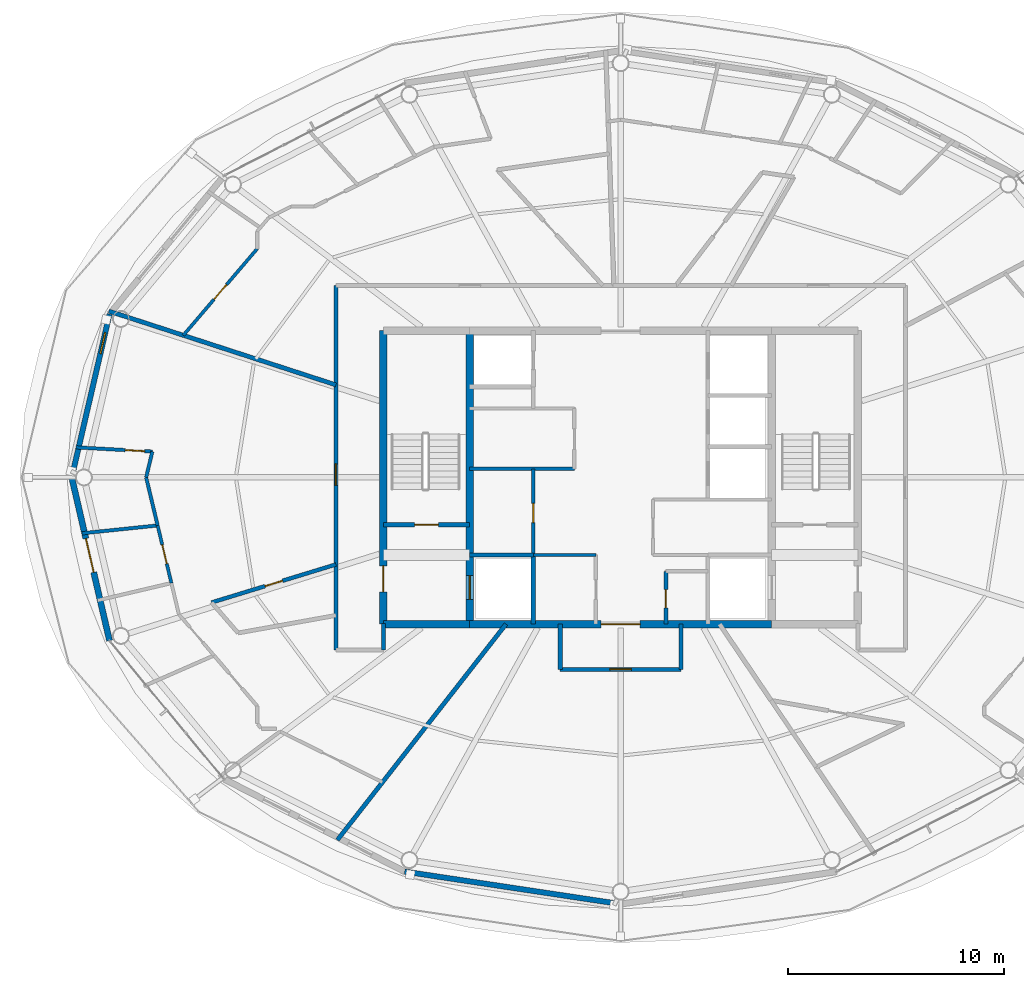
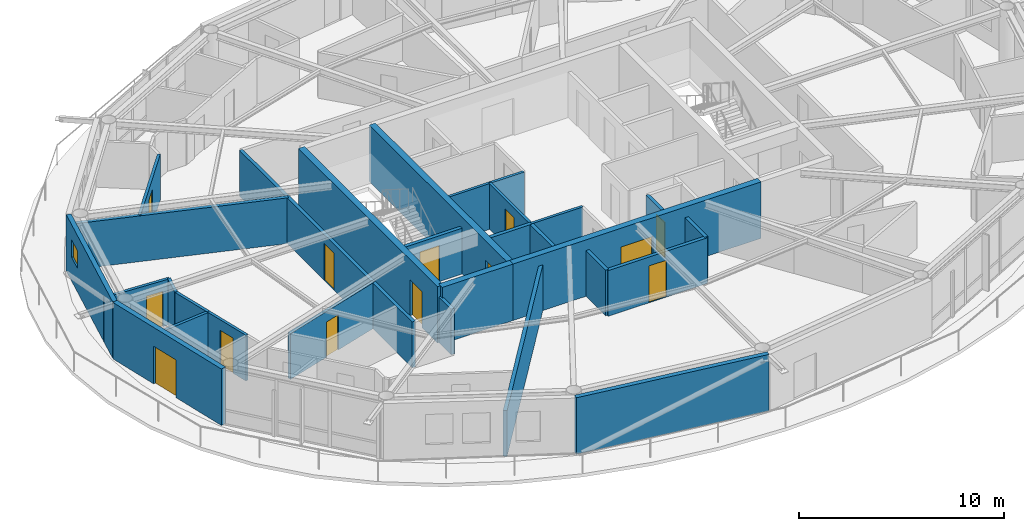
# One storey, part 16 of 22: 28 walls, 13 doors, 1 window, 14 openings.
"""IFC4 building model written with IfcOpenShell, lengths in metres."""

from ifc_helpers import new_model, si_unit, direction, frame, frame_2d, origin, place, context, subcontext, project, spatial, rectangle, extrude, material, layer, layer_set, type_object, element, fill, save


model = new_model("IFC4")

# Units and contexts
model_context = context("Model", 3, precision=1e-05, world=origin(), true_north=direction((0.0, 1.0)))
body_context = subcontext(model_context, "Body", "Model", "MODEL_VIEW")
ifc_project = project(units=[si_unit("LENGTHUNIT", "METRE"), si_unit("AREAUNIT", "SQUARE_METRE"), si_unit("VOLUMEUNIT", "CUBIC_METRE"), si_unit("PLANEANGLEUNIT", "RADIAN"), si_unit("MASSUNIT", "GRAM", prefix="KILO")], contexts=[model_context])

# Site, building, storey
site_placement = place(None, origin())
site = spatial("IfcSite", under=ifc_project, at=site_placement, CompositionType="ELEMENT")
building_placement = place(site_placement, origin())
building = spatial("IfcBuilding", under=site, at=building_placement, Name="Sarneth Arch Tower", CompositionType="ELEMENT")
storey_placement = place(building_placement, frame((0.0, 0.0, 287.39990234375)))
storey = spatial("IfcBuildingStorey", under=building, at=storey_placement, Name="L74", CompositionType="ELEMENT", Elevation=287.39990234375)

# Wall
ifc_material_1 = material(Name="Concrete C50/60", Category="concrete")
ifc_layer_1 = layer(ifc_material_1, 0.35009765625)
ifc_layer_set_1 = layer_set([ifc_layer_1], Name="Concrete C50/60")
wall_type_1 = type_object("IfcWallType", Name="WALL-CORE-350", PredefinedType="SHEAR", material=ifc_layer_set_1)
wall_1_placement = place(storey_placement, frame((37.0, 35.199951171875, 0.0), z_axis=(0.0, 0.0, 1.0), x_axis=(1.0, 0.0, 0.0)))
element("IfcWall", 1, at=wall_1_placement, inside=storey, type_object=wall_type_1, Name="L74 Core shear wall S-W", PredefinedType="SHEAR", context=body_context, shape_type="SweptSolid", body=[
    extrude(rectangle(XDim=4.0, YDim=0.35009765625, at=frame_2d((2.0, 0.0))), origin(), (0.0, 0.0, 1.0), 3.3701171875),
])

# Wall, opening, door
wall_2_placement = place(storey_placement, frame((41.0, 35.199951171875, 0.0), z_axis=(0.0, 0.0, 1.0), x_axis=(1.0, 0.0, 0.0)))
wall_2 = element("IfcWall", 2, at=wall_2_placement, inside=storey, type_object=wall_type_1, Name="L74 Core shear wall S-M", PredefinedType="SHEAR", context=body_context, shape_type="SweptSolid", body=[
    extrude(rectangle(XDim=14.0, YDim=0.35009765625, at=frame_2d((7.0, 0.0))), origin(), (0.0, 0.0, 1.0), 3.3701171875),
])
opening_1_placement = place(wall_2_placement, frame((6.10009765625, 0.0, 0.0)))
opening_1 = element("IfcOpeningElement", 3, at=opening_1_placement, cuts=wall_2, Name="Opening FD-01", PredefinedType="OPENING", context=body_context, shape_type="SweptSolid", body=[
    extrude(rectangle(XDim=1.800048828125, YDim=2.25, at=frame_2d((0.89990234375, 1.125))), frame((0.0, 0.18505859375, 0.0), z_axis=(0.0, -1.0, 0.0), x_axis=(1.0, 0.0, 0.0)), (0.0, 0.0, 1.0), 0.3701171875),
])
ifc_material_2 = material(Name="Galvanised Steel S275 fire door set", Category="steel")
door_type_1 = type_object("IfcDoorType", Name="DR-FD90-1800", OperationType="DOUBLE_DOOR_SINGLE_SWING", PredefinedType="DOOR", material=ifc_material_2)
door_1_placement = place(opening_1_placement, origin())
door_1 = element("IfcDoor", 4, at=door_1_placement, inside=storey, type_object=door_type_1, Name="L74 Central lift lobby south door", OperationType="DOUBLE_DOOR_SINGLE_SWING", OverallHeight=2.25, OverallWidth=1.800048828125, PredefinedType="DOOR", context=body_context, shape_type="SweptSolid", body=[
    extrude(rectangle(XDim=1.800048828125, YDim=2.25, at=frame_2d((0.89990234375, 1.125))), frame((0.0, 0.02490234375, 0.0), z_axis=(0.0, -1.0, 0.0), x_axis=(1.0, 0.0, 0.0)), (0.0, 0.0, 1.0), 0.050048828125),
])
fill(opening_1, door_1)

wall_3_placement = place(storey_placement, frame((37.0, 35.199951171875, 0.0), z_axis=(0.0, 0.0, 1.0), x_axis=(0.0, 1.0, 0.0)))
wall_3 = element("IfcWall", 5, at=wall_3_placement, inside=storey, type_object=wall_type_1, Name="L74 Core shear wall W", PredefinedType="SHEAR", context=body_context, shape_type="SweptSolid", body=[
    extrude(rectangle(XDim=13.60009765625, YDim=0.35009765625, at=frame_2d((6.800048828125, 0.0))), origin(), (0.0, 0.0, 1.0), 3.3701171875),
])
opening_2_placement = place(wall_3_placement, frame((1.5, 0.0, 0.0)))
opening_2 = element("IfcOpeningElement", 6, at=opening_2_placement, cuts=wall_3, Name="Opening FD-02", PredefinedType="OPENING", context=body_context, shape_type="SweptSolid", body=[
    extrude(rectangle(XDim=1.199951171875, YDim=2.14990234375, at=frame_2d((0.60009765625, 1.074951171875))), frame((0.0, 0.18505859375, 0.0), z_axis=(0.0, -1.0, 0.0), x_axis=(1.0, 0.0, 0.0)), (0.0, 0.0, 1.0), 0.3701171875),
])
ifc_material_3 = material(Name="Galvanised Steel S275 fire door set", Category="steel")
door_type_2 = type_object("IfcDoorType", Name="DR-FD90-1200", OperationType="SINGLE_SWING_LEFT", PredefinedType="DOOR", material=ifc_material_3)
door_2_placement = place(opening_2_placement, origin())
door_2 = element("IfcDoor", 7, at=door_2_placement, inside=storey, type_object=door_type_2, Name="L74 Firefighting lobby 1 exit door", OperationType="SINGLE_SWING_LEFT", OverallHeight=2.14990234375, OverallWidth=1.199951171875, PredefinedType="DOOR", context=body_context, shape_type="SweptSolid", body=[
    extrude(rectangle(XDim=1.199951171875, YDim=2.14990234375, at=frame_2d((0.60009765625, 1.074951171875))), frame((0.0, 0.02490234375, 0.0), z_axis=(0.0, -1.0, 0.0), x_axis=(1.0, 0.0, 0.0)), (0.0, 0.0, 1.0), 0.050048828125),
])
fill(opening_2, door_2)

wall_4_placement = place(storey_placement, frame((41.0, 35.199951171875, 0.0), z_axis=(0.0, 0.0, 1.0), x_axis=(0.0, 1.0, 0.0)))
wall_4 = element("IfcWall", 8, at=wall_4_placement, inside=storey, type_object=wall_type_1, Name="L74 Core shear wall WEB-W", PredefinedType="SHEAR", context=body_context, shape_type="SweptSolid", body=[
    extrude(rectangle(XDim=13.60009765625, YDim=0.35009765625, at=frame_2d((6.800048828125, 0.0))), origin(), (0.0, 0.0, 1.0), 3.3701171875),
])
opening_3_placement = place(wall_4_placement, frame((1.14990234375, 0.0, 0.0)))
opening_3 = element("IfcOpeningElement", 9, at=opening_3_placement, cuts=wall_4, Name="Opening LD-1", PredefinedType="OPENING", context=body_context, shape_type="SweptSolid", body=[
    extrude(rectangle(XDim=1.10009765625, YDim=2.199951171875, at=frame_2d((0.550048828125, 1.10009765625))), frame((0.0, 0.18505859375, 0.0), z_axis=(0.0, -1.0, 0.0), x_axis=(1.0, 0.0, 0.0)), (0.0, 0.0, 1.0), 0.3701171875),
])
ifc_material_4 = material(Name="Brushed Stainless Steel 304 lift landing door", Category="steel")
door_type_3 = type_object("IfcDoorType", Name="DR-LIFT-SLIDE-1100", OperationType="SLIDING_TO_LEFT", PredefinedType="DOOR", material=ifc_material_4)
door_3_placement = place(opening_3_placement, origin())
door_3 = element("IfcDoor", 10, at=door_3_placement, inside=storey, type_object=door_type_3, Name="L74 Firefighting lift landing door FL-1", OperationType="SLIDING_TO_LEFT", OverallHeight=2.199951171875, OverallWidth=1.10009765625, PredefinedType="DOOR", context=body_context, shape_type="SweptSolid", body=[
    extrude(rectangle(XDim=1.10009765625, YDim=2.199951171875, at=frame_2d((0.550048828125, 1.10009765625))), frame((0.0, 0.02490234375, 0.0), z_axis=(0.0, -1.0, 0.0), x_axis=(1.0, 0.0, 0.0)), (0.0, 0.0, 1.0), 0.050048828125),
])
fill(opening_3, door_3)

ifc_material_5 = material(Name="Double steel-stud corridor fire wall", Category="steel")
ifc_layer_2 = layer(ifc_material_5, 0.18994140625)
ifc_layer_set_2 = layer_set([ifc_layer_2], Name="Double steel-stud corridor fire wall")
wall_type_2 = type_object("IfcWallType", Name="WALL-CORR-190", PredefinedType="PARTITIONING", material=ifc_layer_set_2)
wall_5_placement = place(storey_placement, frame((34.800048828125, 34.0, 0.0), z_axis=(0.0, 0.0, 1.0), x_axis=(0.0, 1.0, 0.0)))
wall_5 = element("IfcWall", 11, at=wall_5_placement, inside=storey, type_object=wall_type_2, Name="L74 Interior partition W-L74-TP-011", PredefinedType="PARTITIONING", context=body_context, shape_type="SweptSolid", body=[
    extrude(rectangle(XDim=16.89990234375, YDim=0.18994140625, at=frame_2d((8.449951171875, 0.0))), origin(), (0.0, 0.0, 1.0), 2.72998046875),
])
opening_4_placement = place(wall_5_placement, frame((7.626708984375, 0.0, 0.0)))
opening_4 = element("IfcOpeningElement", 12, at=opening_4_placement, cuts=wall_5, Name="Opening FD-08", PredefinedType="OPENING", context=body_context, shape_type="SweptSolid", body=[
    extrude(rectangle(XDim=1.0, YDim=2.199951171875, at=frame_2d((0.5, 1.10009765625))), frame((0.0, 0.10498046875, 0.0), z_axis=(0.0, -1.0, 0.0), x_axis=(1.0, 0.0, 0.0)), (0.0, 0.0, 1.0), 0.2099609375),
])
ifc_material_6 = material(Name="Hardwood timber acoustic fire door", Category="wood")
door_type_4 = type_object("IfcDoorType", Name="DR-FD60-1000", OperationType="SINGLE_SWING_LEFT", PredefinedType="DOOR", material=ifc_material_6)
door_4_placement = place(opening_4_placement, origin())
door_4 = element("IfcDoor", 13, at=door_4_placement, inside=storey, type_object=door_type_4, Name="L74 Interior door DR-L74-U3-ENT", OperationType="SINGLE_SWING_RIGHT", OverallHeight=2.199951171875, OverallWidth=1.0, PredefinedType="DOOR", context=body_context, shape_type="SweptSolid", body=[
    extrude(rectangle(XDim=1.0, YDim=2.199951171875, at=frame_2d((0.5, 1.10009765625))), frame((0.0, 0.02490234375, 0.0), z_axis=(0.0, -1.0, 0.0), x_axis=(1.0, 0.0, 0.0)), (0.0, 0.0, 1.0), 0.050048828125),
])
fill(opening_4, door_4)

wall_6_placement = place(storey_placement, frame((50.800048828125, 33.10009765625, 0.0), z_axis=(0.0, 0.0, 1.0), x_axis=(-1.0, 0.0, 0.0)))
wall_6 = element("IfcWall", 14, at=wall_6_placement, inside=storey, type_object=wall_type_2, Name="L74 Interior partition W-L74-TP-017", PredefinedType="PARTITIONING", context=body_context, shape_type="SweptSolid", body=[
    extrude(rectangle(XDim=5.60009765625, YDim=0.18994140625, at=frame_2d((2.800048828125, 0.0))), origin(), (0.0, 0.0, 1.0), 2.72998046875),
])
opening_5_placement = place(wall_6_placement, frame((2.300048828125, 0.0, 0.0)))
opening_5 = element("IfcOpeningElement", 15, at=opening_5_placement, cuts=wall_6, Name="Opening FD-08", PredefinedType="OPENING", context=body_context, shape_type="SweptSolid", body=[
    extrude(rectangle(XDim=1.0, YDim=2.199951171875, at=frame_2d((0.5, 1.10009765625))), frame((0.0, 0.10498046875, 0.0), z_axis=(0.0, -1.0, 0.0), x_axis=(1.0, 0.0, 0.0)), (0.0, 0.0, 1.0), 0.2099609375),
])
door_5_placement = place(opening_5_placement, origin())
door_5 = element("IfcDoor", 16, at=door_5_placement, inside=storey, type_object=door_type_4, Name="L74 Interior door DR-L74-RAMN-04", OperationType="SINGLE_SWING_RIGHT", OverallHeight=2.199951171875, OverallWidth=1.0, PredefinedType="DOOR", context=body_context, shape_type="SweptSolid", body=[
    extrude(rectangle(XDim=1.0, YDim=2.199951171875, at=frame_2d((0.5, 1.10009765625))), frame((0.0, 0.02490234375, 0.0), z_axis=(0.0, -1.0, 0.0), x_axis=(1.0, 0.0, 0.0)), (0.0, 0.0, 1.0), 0.050048828125),
])
fill(opening_5, door_5)

# Walls
for number, where, z_axis, x_axis, name in (
    (17, (50.800048828125, 35.199951171875, 0.0), (0.0, 0.0, 1.0), (0.0, -1.0, 0.0), "L74 Interior partition W-L74-TP-016"),
    (18, (45.199951171875, 33.10009765625, 0.0), (0.0, 0.0, 1.0), (0.0, 1.0, 0.0), "L74 Interior partition W-L74-TP-018"),
):
    element("IfcWall", number, at=place(storey_placement, frame(where, z_axis=z_axis, x_axis=x_axis)), inside=storey, type_object=wall_type_2, Name=name, PredefinedType="PARTITIONING", context=body_context, shape_type="SweptSolid", body=[
        extrude(rectangle(XDim=2.099853515625, YDim=0.18994140625, at=frame_2d((1.0498046875, 0.0))), origin(), (0.0, 0.0, 1.0), 2.72998046875),
    ])
wall_7_placement = place(storey_placement, frame((37.0, 35.23193359375, 0.0), z_axis=(0.0, 0.0, 1.0), x_axis=(0.0, -1.0, 0.0)))
element("IfcWall", 19, at=wall_7_placement, inside=storey, type_object=wall_type_2, Name="L74 Interior partition W-L74-TP-008", PredefinedType="PARTITIONING", context=body_context, shape_type="SweptSolid", body=[
    extrude(rectangle(XDim=1.23193359375, YDim=0.18994140625, at=frame_2d((0.615966796875, 0.0))), origin(), (0.0, 0.0, 1.0), 2.72998046875),
])

# Wall, opening, window
ifc_material_7 = material(Name="Extruded terracotta rainscreen on Concrete C40/50 backing", Category="masonry")
ifc_layer_3 = layer(ifc_material_7, 0.25)
ifc_layer_set_3 = layer_set([ifc_layer_3], Name="Extruded terracotta rainscreen on Concrete C40/50 backing")
wall_type_3 = type_object("IfcWallType", Name="WALL-EXT-SPAND-250", PredefinedType="SOLIDWALL", material=ifc_layer_set_3)
wall_8_placement = place(storey_placement, frame((24.30615234375, 49.569580078125, 0.0), z_axis=(0.0, 0.0, 1.0), x_axis=(-0.225635078214, -0.974211892495, 0.0)))
wall_8 = element("IfcWall", 20, at=wall_8_placement, inside=storey, type_object=wall_type_3, Name="L74 Terracotta perimeter wall 08", PredefinedType="SOLIDWALL", context=body_context, shape_type="SweptSolid", body=[
    extrude(rectangle(XDim=7.77001953125, YDim=0.25, at=frame_2d((3.885009765625, 0.0))), origin(), (0.0, 0.0, 1.0), 3.3701171875),
])
opening_6_placement = place(wall_8_placement, frame((0.877685546875, 0.0, 1.419921875)))
opening_6 = element("IfcOpeningElement", 21, at=opening_6_placement, cuts=wall_8, Name="Opening W-14", PredefinedType="OPENING", context=body_context, shape_type="SweptSolid", body=[
    extrude(rectangle(XDim=1.0, YDim=1.050048828125, at=frame_2d((0.5, 0.52490234375))), frame((0.0, 0.135009765625, 0.0), z_axis=(0.0, -1.0, 0.0), x_axis=(1.0, 0.0, 0.0)), (0.0, 0.0, 1.0), 0.27001953125),
])
ifc_material_8 = material(Name="Thermally broken Aluminium 6063-T6 and low-e laminated IGU", Category="aluminium")
window_type = type_object("IfcWindowType", Name="WIN-TWR-1000x1050", PartitioningType="SINGLE_PANEL", PredefinedType="WINDOW", material=ifc_material_8)
window_placement = place(opening_6_placement, origin())
window = element("IfcWindow", 22, at=window_placement, inside=storey, type_object=window_type, Name="L74 Dwelling bedroom window 03", OverallHeight=1.050048828125, OverallWidth=1.0, PartitioningType="SINGLE_PANEL", PredefinedType="WINDOW", context=body_context, shape_type="SweptSolid", body=[
    extrude(rectangle(XDim=1.0, YDim=1.050048828125, at=frame_2d((0.5, 0.52490234375))), frame((0.0, 0.030029296875, 0.0), z_axis=(0.0, -1.0, 0.0), x_axis=(1.0, 0.0, 0.0)), (0.0, 0.0, 1.0), 0.06005859375),
])
fill(opening_6, window)

# Wall
wall_9_placement = place(storey_placement, frame((37.9873046875, 23.7255859375, 0.0), z_axis=(0.0, 0.0, 1.0), x_axis=(0.988882522213, -0.148698881169, 0.0)))
element("IfcWall", 23, at=wall_9_placement, inside=storey, type_object=wall_type_3, Name="L74 Terracotta perimeter wall 12", PredefinedType="SOLIDWALL", context=body_context, shape_type="SweptSolid", body=[
    extrude(rectangle(XDim=10.125244140625, YDim=0.25, at=frame_2d((5.0625, 0.0))), origin(), (0.0, 0.0, 1.0), 3.3701171875),
])

# Wall, opening, door
ifc_material_9 = material(Name="Extruded terracotta rainscreen on Concrete C40/50 backing", Category="masonry")
ifc_layer_4 = layer(ifc_material_9, 0.280029296875)
ifc_layer_set_4 = layer_set([ifc_layer_4], Name="Extruded terracotta rainscreen on Concrete C40/50 backing")
wall_type_4 = type_object("IfcWallType", Name="WALL-EXT-TERRA-280", PredefinedType="SOLIDWALL", material=ifc_layer_set_4)
wall_10_placement = place(storey_placement, frame((22.552978515625, 42.0, 0.0), z_axis=(0.0, 0.0, 1.0), x_axis=(0.225635078214, -0.974211892495, 0.0)))
wall_10 = element("IfcWall", 24, at=wall_10_placement, inside=storey, type_object=wall_type_4, Name="L74 Terracotta perimeter wall 09", PredefinedType="SOLIDWALL", context=body_context, shape_type="SweptSolid", body=[
    extrude(rectangle(XDim=7.77001953125, YDim=0.280029296875, at=frame_2d((3.885009765625, 0.0))), origin(), (0.0, 0.0, 1.0), 3.3701171875),
])
opening_7_placement = place(wall_10_placement, frame((2.911865234375, 0.0, 0.0)))
opening_7 = element("IfcOpeningElement", 25, at=opening_7_placement, cuts=wall_10, Name="Opening BD-1", PredefinedType="OPENING", context=body_context, shape_type="SweptSolid", body=[
    extrude(rectangle(XDim=1.60009765625, YDim=2.25, at=frame_2d((0.800048828125, 1.125))), frame((0.0, 0.14990234375, 0.0), z_axis=(0.0, -1.0, 0.0), x_axis=(1.0, 0.0, 0.0)), (0.0, 0.0, 1.0), 0.300048828125),
])
ifc_material_10 = material(Name="Thermally broken Aluminium 6063-T6 and laminated safety glass", Category="aluminium")
door_type_5 = type_object("IfcDoorType", Name="DR-BALC-GLZ-1600", OperationType="DOUBLE_DOOR_SINGLE_SWING", PredefinedType="DOOR", material=ifc_material_10)
door_6_placement = place(opening_7_placement, origin())
door_6 = element("IfcDoor", 26, at=door_6_placement, inside=storey, type_object=door_type_5, Name="L74 Balcony glazed door 09", OperationType="DOUBLE_DOOR_SINGLE_SWING", OverallHeight=2.25, OverallWidth=1.60009765625, PredefinedType="DOOR", context=body_context, shape_type="SweptSolid", body=[
    extrude(rectangle(XDim=1.60009765625, YDim=2.25, at=frame_2d((0.800048828125, 1.125))), frame((0.0, 0.02490234375, 0.0), z_axis=(0.0, -1.0, 0.0), x_axis=(1.0, 0.0, 0.0)), (0.0, 0.0, 1.0), 0.050048828125),
])
fill(opening_7, door_6)

ifc_material_11 = material(Name="Acoustic gypsum stud partition", Category="gypsum")
ifc_layer_5 = layer(ifc_material_11, 0.14990234375)
ifc_layer_set_5 = layer_set([ifc_layer_5], Name="Acoustic gypsum stud partition")
wall_type_5 = type_object("IfcWallType", Name="WALL-PART-150", PredefinedType="PARTITIONING", material=ifc_layer_set_5)
wall_11_placement = place(storey_placement, frame((43.949951171875, 38.39990234375, 0.0), z_axis=(0.0, 0.0, 1.0), x_axis=(0.0, 1.0, 0.0)))
wall_11 = element("IfcWall", 27, at=wall_11_placement, inside=storey, type_object=wall_type_5, Name="L74 Interior partition W-L74-RECPL-E", PredefinedType="PARTITIONING", context=body_context, shape_type="SweptSolid", body=[
    extrude(rectangle(XDim=4.0, YDim=0.14990234375, at=frame_2d((2.0, 0.0))), origin(), (0.0, 0.0, 1.0), 2.72998046875),
])
opening_8_placement = place(wall_11_placement, frame((1.5, 0.0, 0.0)))
opening_8 = element("IfcOpeningElement", 28, at=opening_8_placement, cuts=wall_11, Name="Opening FD-10", PredefinedType="OPENING", context=body_context, shape_type="SweptSolid", body=[
    extrude(rectangle(XDim=0.89990234375, YDim=2.14990234375, at=frame_2d((0.449951171875, 1.074951171875))), frame((0.0, 0.0849609375, 0.0), z_axis=(0.0, -1.0, 0.0), x_axis=(1.0, 0.0, 0.0)), (0.0, 0.0, 1.0), 0.169921875),
])
ifc_material_12 = material(Name="Galvanised Steel S275 riser/service fire door", Category="steel")
door_type_6 = type_object("IfcDoorType", Name="DR-FD60-900", OperationType="SINGLE_SWING_LEFT", PredefinedType="DOOR", material=ifc_material_12)
door_7_placement = place(opening_8_placement, origin())
door_7 = element("IfcDoor", 29, at=door_7_placement, inside=storey, type_object=door_type_6, Name="L74 Interior door DR-L74-RECPL", OperationType="SINGLE_SWING_LEFT", OverallHeight=2.14990234375, OverallWidth=0.89990234375, PredefinedType="DOOR", context=body_context, shape_type="SweptSolid", body=[
    extrude(rectangle(XDim=0.89990234375, YDim=2.14990234375, at=frame_2d((0.449951171875, 1.074951171875))), frame((0.0, 0.02490234375, 0.0), z_axis=(0.0, -1.0, 0.0), x_axis=(1.0, 0.0, 0.0)), (0.0, 0.0, 1.0), 0.050048828125),
])
fill(opening_8, door_7)

# Walls
wall_12_placement = place(storey_placement, frame((41.0, 42.39990234375, 0.0), z_axis=(0.0, 0.0, 1.0), x_axis=(1.0, 0.0, 0.0)))
element("IfcWall", 30, at=wall_12_placement, inside=storey, type_object=wall_type_5, Name="L74 Interior partition W-L74-RECPM1-S", PredefinedType="PARTITIONING", context=body_context, shape_type="SweptSolid", body=[
    extrude(rectangle(XDim=4.85009765625, YDim=0.14990234375, at=frame_2d((2.425048828125, 0.0))), origin(), (0.0, 0.0, 1.0), 2.72998046875),
])
wall_13_placement = place(storey_placement, frame((43.949951171875, 38.39990234375, 0.0), z_axis=(0.0, 0.0, 1.0), x_axis=(1.0, 0.0, 0.0)))
element("IfcWall", 31, at=wall_13_placement, inside=storey, type_object=wall_type_5, Name="L74 Interior partition W-L74-CSUP1-N", PredefinedType="PARTITIONING", context=body_context, shape_type="SweptSolid", body=[
    extrude(rectangle(XDim=2.900146484375, YDim=0.14990234375, at=frame_2d((1.4501953125, 0.0))), origin(), (0.0, 0.0, 1.0), 2.72998046875),
])

# Wall, opening, door
wall_14_placement = place(storey_placement, frame((27.72607421875, 48.58740234375, 0.0), z_axis=(0.0, 0.0, 1.0), x_axis=(0.649196412447, 0.760620810961, 0.0)))
wall_14 = element("IfcWall", 32, at=wall_14_placement, inside=storey, type_object=wall_type_5, Name="L74 Interior partition W-L74-TP-047", PredefinedType="PARTITIONING", context=body_context, shape_type="SweptSolid", body=[
    extrude(rectangle(XDim=5.27392578125, YDim=0.14990234375, at=frame_2d((2.636962890625, 0.0))), origin(), (0.0, 0.0, 1.0), 2.72998046875),
])
opening_9_placement = place(wall_14_placement, frame((2.18701171875, 0.0, 0.0)))
opening_9 = element("IfcOpeningElement", 33, at=opening_9_placement, cuts=wall_14, Name="Opening ID-01", PredefinedType="OPENING", context=body_context, shape_type="SweptSolid", body=[
    extrude(rectangle(XDim=0.89990234375, YDim=2.10009765625, at=frame_2d((0.449951171875, 1.050048828125))), frame((0.0, 0.0849609375, 0.0), z_axis=(0.0, -1.0, 0.0), x_axis=(1.0, 0.0, 0.0)), (0.0, 0.0, 1.0), 0.169921875),
])
ifc_material_13 = material(Name="Engineered hardwood flush door", Category="wood")
door_type_7 = type_object("IfcDoorType", Name="DR-INT-900", OperationType="SINGLE_SWING_LEFT", PredefinedType="DOOR", material=ifc_material_13)
door_8_placement = place(opening_9_placement, origin())
door_8 = element("IfcDoor", 34, at=door_8_placement, inside=storey, type_object=door_type_7, Name="L74 Interior door DR-L74-U2-BED2", OperationType="SINGLE_SWING_LEFT", OverallHeight=2.10009765625, OverallWidth=0.89990234375, PredefinedType="DOOR", context=body_context, shape_type="SweptSolid", body=[
    extrude(rectangle(XDim=0.89990234375, YDim=2.10009765625, at=frame_2d((0.449951171875, 1.050048828125))), frame((0.0, 0.02490234375, 0.0), z_axis=(0.0, -1.0, 0.0), x_axis=(1.0, 0.0, 0.0)), (0.0, 0.0, 1.0), 0.050048828125),
])
fill(opening_9, door_8)

wall_15_placement = place(storey_placement, frame((26.53564453125, 39.772705078125, 0.0), z_axis=(0.0, 0.0, 1.0), x_axis=(0.232333689401, -0.97263613791, 0.0)))
wall_15 = element("IfcWall", 35, at=wall_15_placement, inside=storey, type_object=wall_type_5, Name="L74 Interior partition W-L74-TP-055", PredefinedType="PARTITIONING", context=body_context, shape_type="SweptSolid", body=[
    extrude(rectangle(XDim=2.745849609375, YDim=0.14990234375, at=frame_2d((1.373046875, 0.0))), origin(), (0.0, 0.0, 1.0), 2.72998046875),
])
opening_10_placement = place(wall_15_placement, frame((0.9228515625, 0.0, 0.0)))
opening_10 = element("IfcOpeningElement", 36, at=opening_10_placement, cuts=wall_15, Name="Opening ID-01", PredefinedType="OPENING", context=body_context, shape_type="SweptSolid", body=[
    extrude(rectangle(XDim=0.89990234375, YDim=2.10009765625, at=frame_2d((0.449951171875, 1.050048828125))), frame((0.0, 0.0849609375, 0.0), z_axis=(0.0, -1.0, 0.0), x_axis=(1.0, 0.0, 0.0)), (0.0, 0.0, 1.0), 0.169921875),
])
door_9_placement = place(opening_10_placement, origin())
door_9 = element("IfcDoor", 37, at=door_9_placement, inside=storey, type_object=door_type_7, Name="L74 Interior door DR-L74-U3-STD", OperationType="SINGLE_SWING_LEFT", OverallHeight=2.10009765625, OverallWidth=0.89990234375, PredefinedType="DOOR", context=body_context, shape_type="SweptSolid", body=[
    extrude(rectangle(XDim=0.89990234375, YDim=2.10009765625, at=frame_2d((0.449951171875, 1.050048828125))), frame((0.0, 0.02490234375, 0.0), z_axis=(0.0, -1.0, 0.0), x_axis=(1.0, 0.0, 0.0)), (0.0, 0.0, 1.0), 0.050048828125),
])
fill(opening_10, door_9)

ifc_material_14 = material(Name="Kitchen wet service chase wall", Category="gypsum")
ifc_layer_6 = layer(ifc_material_14, 0.159912109375)
ifc_layer_set_6 = layer_set([ifc_layer_6], Name="Kitchen wet service chase wall")
wall_type_6 = type_object("IfcWallType", Name="WALL-PLUMB-160", PredefinedType="PLUMBINGWALL", material=ifc_layer_set_6)
wall_16_placement = place(storey_placement, frame((22.75439453125, 43.39306640625, 0.0), z_axis=(0.0, 0.0, 1.0), x_axis=(0.998481285203, -0.055091951307, 0.0)))
wall_16 = element("IfcWall", 38, at=wall_16_placement, inside=storey, type_object=wall_type_6, Name="L74 Interior partition W-L74-TP-056", PredefinedType="PLUMBINGWALL", context=body_context, shape_type="SweptSolid", body=[
    extrude(rectangle(XDim=3.540771484375, YDim=0.159912109375, at=frame_2d((1.7705078125, 0.0))), origin(), (0.0, 0.0, 1.0), 2.72998046875),
])
opening_11_placement = place(wall_16_placement, frame((2.280517578125, 0.0, 0.0)))
opening_11 = element("IfcOpeningElement", 39, at=opening_11_placement, cuts=wall_16, Name="Opening ID-01", PredefinedType="OPENING", context=body_context, shape_type="SweptSolid", body=[
    extrude(rectangle(XDim=0.89990234375, YDim=2.10009765625, at=frame_2d((0.449951171875, 1.050048828125))), frame((0.0, 0.08984375, 0.0), z_axis=(0.0, -1.0, 0.0), x_axis=(1.0, 0.0, 0.0)), (0.0, 0.0, 1.0), 0.179931640625),
])
door_10_placement = place(opening_11_placement, origin())
door_10 = element("IfcDoor", 40, at=door_10_placement, inside=storey, type_object=door_type_7, Name="L74 Interior door DR-L74-U3-KIT", OperationType="SINGLE_SWING_RIGHT", OverallHeight=2.10009765625, OverallWidth=0.89990234375, PredefinedType="DOOR", context=body_context, shape_type="SweptSolid", body=[
    extrude(rectangle(XDim=0.89990234375, YDim=2.10009765625, at=frame_2d((0.449951171875, 1.050048828125))), frame((0.0, 0.02490234375, 0.0), z_axis=(0.0, -1.0, 0.0), x_axis=(1.0, 0.0, 0.0)), (0.0, 0.0, 1.0), 0.050048828125),
])
fill(opening_11, door_10)

# Walls
wall_17_placement = place(storey_placement, frame((26.53564453125, 39.772705078125, 0.0), z_axis=(0.0, 0.0, 1.0), x_axis=(-0.994663387729, -0.103173374039, 0.0)))
element("IfcWall", 41, at=wall_17_placement, inside=storey, type_object=wall_type_6, Name="L74 Interior partition W-L74-TP-070", PredefinedType="PLUMBINGWALL", context=body_context, shape_type="SweptSolid", body=[
    extrude(rectangle(XDim=3.5234375, YDim=0.159912109375, at=frame_2d((1.76171875, 0.0))), origin(), (0.0, 0.0, 1.0), 2.72998046875),
])
wall_18_placement = place(storey_placement, frame((26.003662109375, 42.0, 0.0), z_axis=(0.0, 0.0, 1.0), x_axis=(0.232312317028, -0.972641242883, 0.0)))
element("IfcWall", 42, at=wall_18_placement, inside=storey, type_object=wall_type_6, Name="L74 Interior partition W-L74-TP-058", PredefinedType="PLUMBINGWALL", context=body_context, shape_type="SweptSolid", body=[
    extrude(rectangle(XDim=2.2900390625, YDim=0.159912109375, at=frame_2d((1.14501953125, 0.0))), origin(), (0.0, 0.0, 1.0), 2.72998046875),
])
wall_19_placement = place(storey_placement, frame((26.289794921875, 43.197998046875, 0.0), z_axis=(0.0, 0.0, 1.0), x_axis=(-0.232308267809, -0.972642210017, 0.0)))
element("IfcWall", 43, at=wall_19_placement, inside=storey, type_object=wall_type_6, Name="L74 Interior partition W-L74-TP-057", PredefinedType="PLUMBINGWALL", context=body_context, shape_type="SweptSolid", body=[
    extrude(rectangle(XDim=1.231689453125, YDim=0.159912109375, at=frame_2d((0.61572265625, 0.0))), origin(), (0.0, 0.0, 1.0), 2.72998046875),
])

# Wall, opening, door
ifc_material_15 = material(Name="Moisture-resistant plumbing chase wall", Category="gypsum")
ifc_layer_7 = layer(ifc_material_15, 0.179931640625)
ifc_layer_set_7 = layer_set([ifc_layer_7], Name="Moisture-resistant plumbing chase wall")
wall_type_7 = type_object("IfcWallType", Name="WALL-PLUMB-180", PredefinedType="PLUMBINGWALL", material=ifc_layer_set_7)
wall_20_placement = place(storey_placement, frame((50.10009765625, 35.199951171875, 0.0), z_axis=(0.0, 0.0, 1.0), x_axis=(0.0, 1.0, 0.0)))
wall_20 = element("IfcWall", 44, at=wall_20_placement, inside=storey, type_object=wall_type_7, Name="L74 Interior partition W-L74-AWC-W", PredefinedType="PLUMBINGWALL", context=body_context, shape_type="SweptSolid", body=[
    extrude(rectangle(XDim=2.449951171875, YDim=0.179931640625, at=frame_2d((1.22509765625, 0.0))), origin(), (0.0, 0.0, 1.0), 2.72998046875),
])
opening_12_placement = place(wall_20_placement, frame((0.75, 0.0, 0.0)))
opening_12 = element("IfcOpeningElement", 45, at=opening_12_placement, cuts=wall_20, Name="Opening ID-02", PredefinedType="OPENING", context=body_context, shape_type="SweptSolid", body=[
    extrude(rectangle(XDim=0.85009765625, YDim=2.10009765625, at=frame_2d((0.425048828125, 1.050048828125))), frame((0.0, 0.099853515625, 0.0), z_axis=(0.0, -1.0, 0.0), x_axis=(1.0, 0.0, 0.0)), (0.0, 0.0, 1.0), 0.199951171875),
])
ifc_material_16 = material(Name="Moisture-resistant bathroom timber door", Category="wood")
door_type_8 = type_object("IfcDoorType", Name="DR-INT-850", OperationType="SINGLE_SWING_RIGHT", PredefinedType="DOOR", material=ifc_material_16)
door_11_placement = place(opening_12_placement, origin())
door_11 = element("IfcDoor", 46, at=door_11_placement, inside=storey, type_object=door_type_8, Name="L74 Interior door DR-L74-AWC", OperationType="SINGLE_SWING_RIGHT", OverallHeight=2.10009765625, OverallWidth=0.85009765625, PredefinedType="DOOR", context=body_context, shape_type="SweptSolid", body=[
    extrude(rectangle(XDim=0.85009765625, YDim=2.10009765625, at=frame_2d((0.425048828125, 1.050048828125))), frame((0.0, 0.02490234375, 0.0), z_axis=(0.0, -1.0, 0.0), x_axis=(1.0, 0.0, 0.0)), (0.0, 0.0, 1.0), 0.050048828125),
])
fill(opening_12, door_11)

wall_21_placement = place(storey_placement, frame((34.800048828125, 37.96435546875, 0.0), z_axis=(0.0, 0.0, 1.0), x_axis=(-0.956308169094, -0.292360540641, 0.0)))
wall_21 = element("IfcWall", 47, at=wall_21_placement, inside=storey, type_object=wall_type_7, Name="L74 Interior partition W-L74-TP-059", PredefinedType="PLUMBINGWALL", context=body_context, shape_type="SweptSolid", body=[
    extrude(rectangle(XDim=6.027587890625, YDim=0.179931640625, at=frame_2d((3.013671875, 0.0))), origin(), (0.0, 0.0, 1.0), 2.72998046875),
])
opening_13_placement = place(wall_21_placement, frame((2.588623046875, 0.0, 0.0)))
opening_13 = element("IfcOpeningElement", 48, at=opening_13_placement, cuts=wall_21, Name="Opening ID-02", PredefinedType="OPENING", context=body_context, shape_type="SweptSolid", body=[
    extrude(rectangle(XDim=0.85009765625, YDim=2.10009765625, at=frame_2d((0.425048828125, 1.050048828125))), frame((0.0, 0.099853515625, 0.0), z_axis=(0.0, -1.0, 0.0), x_axis=(1.0, 0.0, 0.0)), (0.0, 0.0, 1.0), 0.199951171875),
])
door_12_placement = place(opening_13_placement, origin())
door_12 = element("IfcDoor", 49, at=door_12_placement, inside=storey, type_object=door_type_8, Name="L74 Interior door DR-L74-U3-BATH", OperationType="SINGLE_SWING_LEFT", OverallHeight=2.10009765625, OverallWidth=0.85009765625, PredefinedType="DOOR", context=body_context, shape_type="SweptSolid", body=[
    extrude(rectangle(XDim=0.85009765625, YDim=2.10009765625, at=frame_2d((0.425048828125, 1.050048828125))), frame((0.0, 0.02490234375, 0.0), z_axis=(0.0, -1.0, 0.0), x_axis=(1.0, 0.0, 0.0)), (0.0, 0.0, 1.0), 0.050048828125),
])
fill(opening_13, door_12)

ifc_material_17 = material(Name="Aerated concrete blockwork C25/30", Category="masonry")
ifc_layer_8 = layer(ifc_material_17, 0.199951171875)
ifc_layer_set_8 = layer_set([ifc_layer_8], Name="Aerated concrete blockwork C25/30")
wall_type_8 = type_object("IfcWallType", Name="WALL-SHAFT-200", PredefinedType="SOLIDWALL", material=ifc_layer_set_8)
wall_22_placement = place(storey_placement, frame((37.0, 39.800048828125, 0.0), z_axis=(0.0, 0.0, 1.0), x_axis=(1.0, 0.0, 0.0)))
wall_22 = element("IfcWall", 50, at=wall_22_placement, inside=storey, type_object=wall_type_8, Name="L74 Interior partition W-L74-ST1-S", PredefinedType="SOLIDWALL", context=body_context, shape_type="SweptSolid", body=[
    extrude(rectangle(XDim=4.0, YDim=0.199951171875, at=frame_2d((2.0, 0.0))), origin(), (0.0, 0.0, 1.0), 2.72998046875),
])
opening_14_placement = place(wall_22_placement, frame((1.449951171875, 0.0, 0.0)))
opening_14 = element("IfcOpeningElement", 51, at=opening_14_placement, cuts=wall_22, Name="Opening FD-03", PredefinedType="OPENING", context=body_context, shape_type="SweptSolid", body=[
    extrude(rectangle(XDim=1.10009765625, YDim=2.14990234375, at=frame_2d((0.550048828125, 1.074951171875))), frame((0.0, 0.10986328125, 0.0), z_axis=(0.0, -1.0, 0.0), x_axis=(1.0, 0.0, 0.0)), (0.0, 0.0, 1.0), 0.219970703125),
])
ifc_material_18 = material(Name="Galvanised Steel S275 fire door set", Category="steel")
door_type_9 = type_object("IfcDoorType", Name="DR-FD90-1100", OperationType="SINGLE_SWING_LEFT", PredefinedType="DOOR", material=ifc_material_18)
door_13_placement = place(opening_14_placement, origin())
door_13 = element("IfcDoor", 52, at=door_13_placement, inside=storey, type_object=door_type_9, Name="L74 Interior door DR-L74-ST1", OperationType="SINGLE_SWING_LEFT", OverallHeight=2.14990234375, OverallWidth=1.10009765625, PredefinedType="DOOR", context=body_context, shape_type="SweptSolid", body=[
    extrude(rectangle(XDim=1.10009765625, YDim=2.14990234375, at=frame_2d((0.550048828125, 1.074951171875))), frame((0.0, 0.02490234375, 0.0), z_axis=(0.0, -1.0, 0.0), x_axis=(1.0, 0.0, 0.0)), (0.0, 0.0, 1.0), 0.050048828125),
])
fill(opening_14, door_13)

# Walls
wall_23_placement = place(storey_placement, frame((43.949951171875, 35.199951171875, 0.0), z_axis=(0.0, 0.0, 1.0), x_axis=(0.0, 1.0, 0.0)))
element("IfcWall", 53, at=wall_23_placement, inside=storey, type_object=wall_type_8, Name="L74 Interior partition W-L74-FL1-E", PredefinedType="SOLIDWALL", context=body_context, shape_type="SweptSolid", body=[
    extrude(rectangle(XDim=3.199951171875, YDim=0.199951171875, at=frame_2d((1.60009765625, 0.0))), origin(), (0.0, 0.0, 1.0), 2.72998046875),
])
wall_24_placement = place(storey_placement, frame((41.0, 38.39990234375, 0.0), z_axis=(0.0, 0.0, 1.0), x_axis=(1.0, 0.0, 0.0)))
element("IfcWall", 54, at=wall_24_placement, inside=storey, type_object=wall_type_8, Name="L74 Interior partition W-L74-FL1-N", PredefinedType="SOLIDWALL", context=body_context, shape_type="SweptSolid", body=[
    extrude(rectangle(XDim=2.949951171875, YDim=0.199951171875, at=frame_2d((1.47509765625, 0.0))), origin(), (0.0, 0.0, 1.0), 2.72998046875),
])
ifc_material_19 = material(Name="Double steel-stud acoustic drywall", Category="steel")
ifc_layer_9 = layer(ifc_material_19, 0.199951171875)
ifc_layer_set_9 = layer_set([ifc_layer_9], Name="Double steel-stud acoustic drywall")
wall_type_9 = type_object("IfcWallType", Name="WALL-UNIT-200", PredefinedType="PARTITIONING", material=ifc_layer_set_9)
wall_25_placement = place(storey_placement, frame((42.687255859375, 35.199951171875, 0.0), z_axis=(0.0, 0.0, 1.0), x_axis=(-0.615663811723, -0.788008928208, 0.0)))
element("IfcWall", 55, at=wall_25_placement, inside=storey, type_object=wall_type_9, Name="L74 Interior partition W-L74-TP-069", PredefinedType="PARTITIONING", context=body_context, shape_type="SweptSolid", body=[
    extrude(rectangle(XDim=12.701171875, YDim=0.199951171875, at=frame_2d((6.3505859375, 0.0))), origin(), (0.0, 0.0, 1.0), 2.72998046875),
])
wall_26_placement = place(storey_placement, frame((24.2763671875, 49.708251953125, 0.0), z_axis=(0.0, 0.0, 1.0), x_axis=(0.951054334328, -0.309023709699, 0.0)))
element("IfcWall", 56, at=wall_26_placement, inside=storey, type_object=wall_type_9, Name="L74 Interior partition W-L74-TP-050", PredefinedType="PARTITIONING", context=body_context, shape_type="SweptSolid", body=[
    extrude(rectangle(XDim=11.065185546875, YDim=0.199951171875, at=frame_2d((5.53271484375, 0.0))), origin(), (0.0, 0.0, 1.0), 2.72998046875),
])

save(model, "model.ifc")
